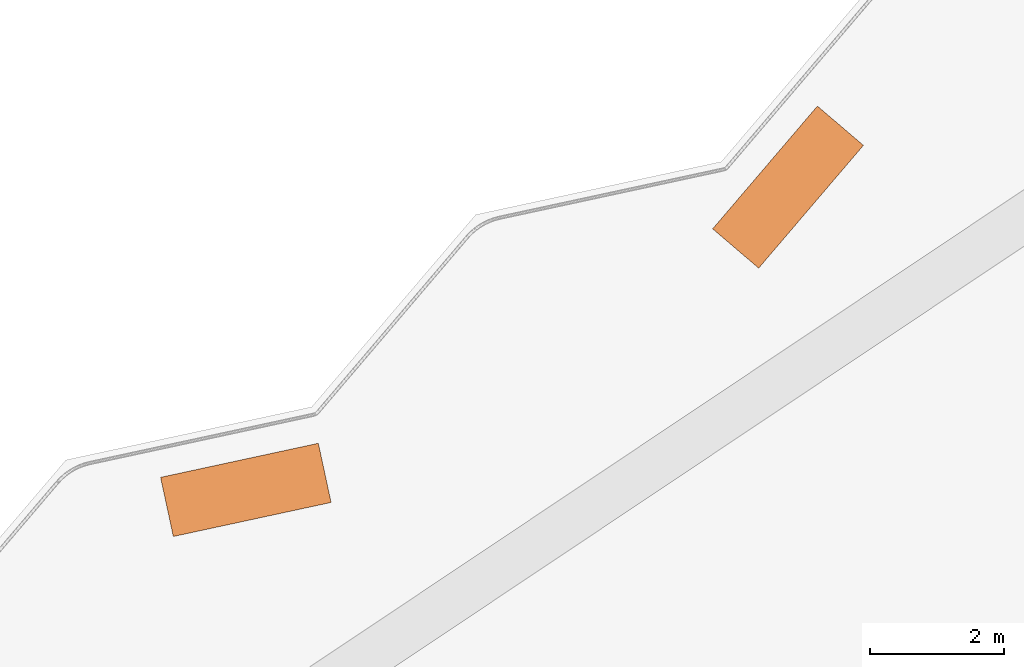
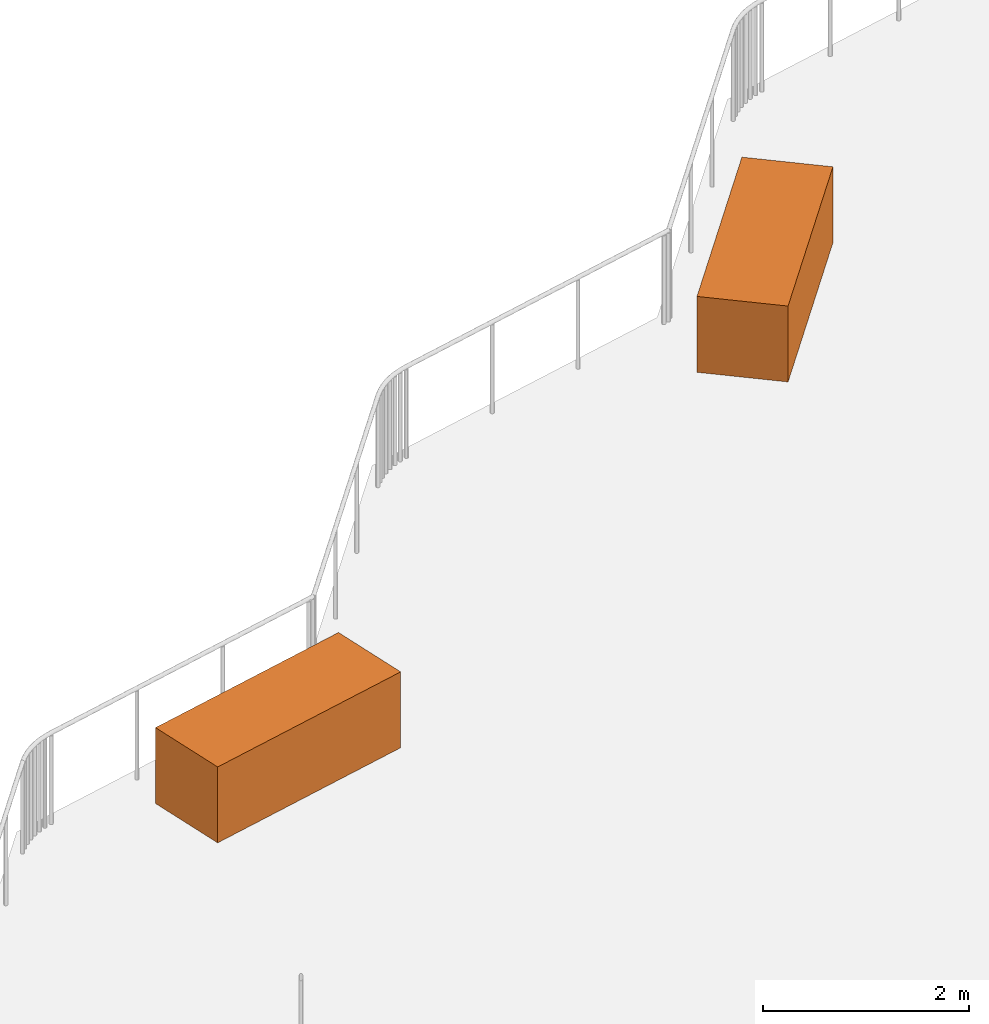
# One storey, part 29 of 29: 2 proxies.
"""IFC4 building model written with IfcOpenShell, lengths in metres."""

from ifc_helpers import new_model, si_unit, direction, frame, origin, origin_2d, place, context, subcontext, project, spatial, rectangle, extrude, material, type_object, element, save


model = new_model("IFC4")

# Units and contexts
model_context = context("Model", 3, precision=1e-05, world=origin(), true_north=direction((0.0, 1.0)))
body_context = subcontext(model_context, "Body", "Model", "MODEL_VIEW")
ifc_project = project(units=[si_unit("LENGTHUNIT", "METRE"), si_unit("AREAUNIT", "SQUARE_METRE"), si_unit("VOLUMEUNIT", "CUBIC_METRE"), si_unit("PLANEANGLEUNIT", "RADIAN"), si_unit("MASSUNIT", "GRAM", prefix="KILO")], contexts=[model_context])

# Site, building, storey
site_placement = place(None, origin())
site = spatial("IfcSite", under=ifc_project, at=site_placement, CompositionType="ELEMENT")
building_placement = place(site_placement, origin())
building = spatial("IfcBuilding", under=site, at=building_placement, Name="Qamariyya Broadcast Tower", CompositionType="ELEMENT")
storey_placement = place(building_placement, frame((0.0, 0.0, 258.10009765625)))
storey = spatial("IfcBuildingStorey", under=building, at=storey_placement, Name="L62", CompositionType="ELEMENT", Elevation=258.10009765625)

# Proxies
ifc_material = material(Name="Glazed terracotta", Category="masonry")
building_element_proxy_type = type_object("IfcBuildingElementProxyType", Name="Terracotta planter with saturated soil", PredefinedType="USERDEFINED", material=ifc_material)
for number, where, z_axis, x_axis, name in (
    (1, (-62.36962890625, -37.98583984375, 0.0), (0.0, 0.0, 1.0), (0.977475072677, 0.211050899774, 0.0), "e-pl-L62-t4-00"),
    (2, (-54.306884765625, -33.483154296875, 0.0), (0.0, 0.0, 1.0), (0.649118487846, 0.760687313379, 0.0), "e-pl-L62-t4-01"),
):
    element("IfcBuildingElementProxy", number, at=place(storey_placement, frame(where, z_axis=z_axis, x_axis=x_axis)), inside=storey, type_object=building_element_proxy_type, Name=name, ObjectType="PLANTER", PredefinedType="USERDEFINED", context=body_context, shape_type="SweptSolid", body=[
        extrude(rectangle(XDim=2.39990234375, YDim=0.89990234375, at=origin_2d()), origin(), (0.0, 0.0, 1.0), 0.89990234375),
    ])

save(model, "model.ifc")
